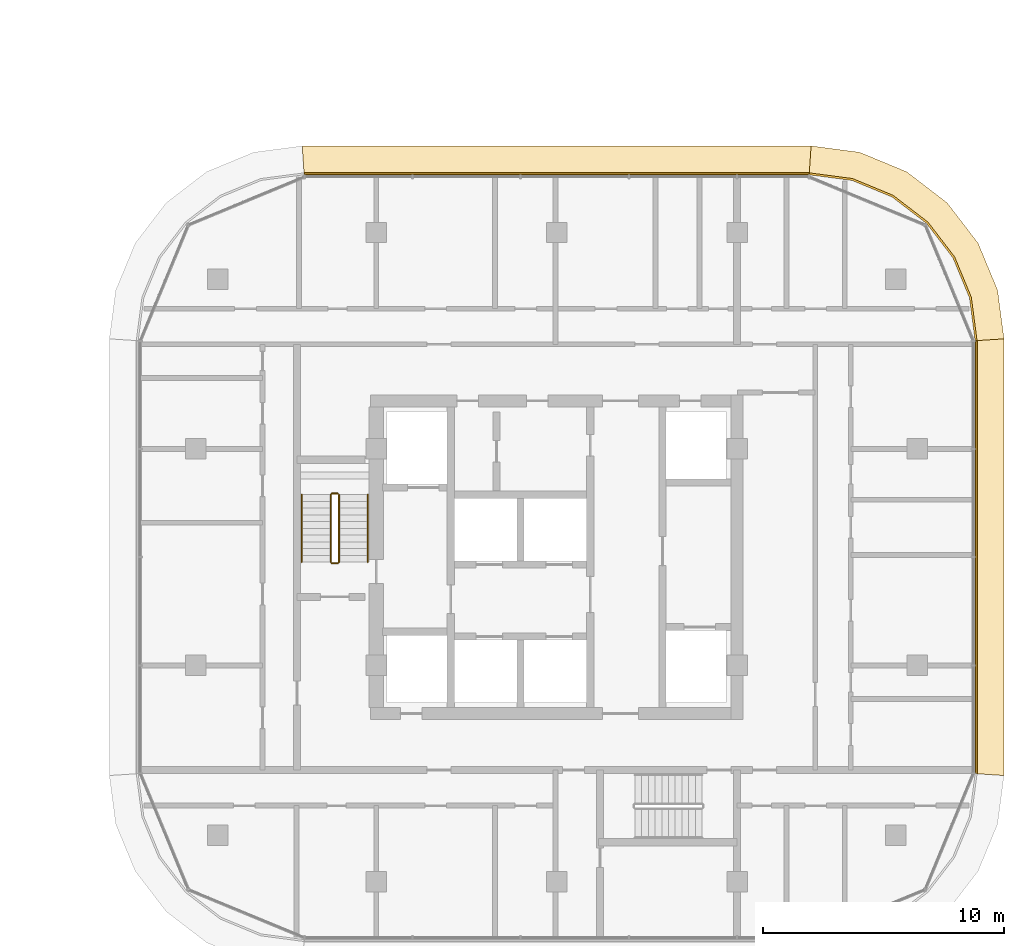
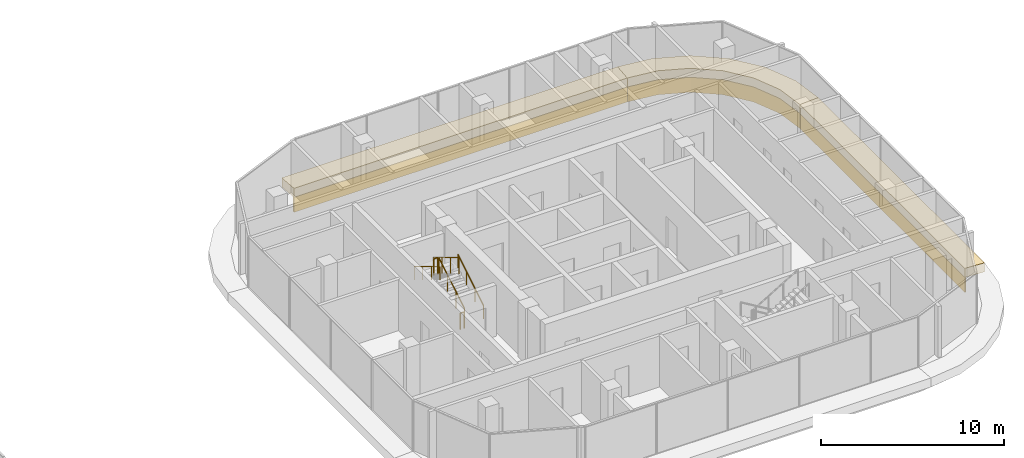
# One storey, part 36 of 36: 6 coverings, 6 railings.
"""IFC4 building model written with IfcOpenShell, lengths in metres."""

from ifc_helpers import new_model, si_unit, direction, frame, origin, origin_2d, place, context, subcontext, project, spatial, polyline, circle, outline, extrude, material, layer, layer_set, type_object, element, save


model = new_model("IFC4")

# Units and contexts
model_context = context("Model", 3, precision=1e-05, world=origin(), true_north=direction((0.0, 1.0)))
body_context = subcontext(model_context, "Body", "Model", "MODEL_VIEW")
ifc_project = project(units=[si_unit("LENGTHUNIT", "METRE"), si_unit("AREAUNIT", "SQUARE_METRE"), si_unit("VOLUMEUNIT", "CUBIC_METRE"), si_unit("PLANEANGLEUNIT", "RADIAN"), si_unit("MASSUNIT", "GRAM", prefix="KILO")], contexts=[model_context])

# Site, building, storey
site_placement = place(None, origin())
site = spatial("IfcSite", under=ifc_project, at=site_placement, CompositionType="ELEMENT")
building_placement = place(site_placement, origin())
building = spatial("IfcBuilding", under=site, at=building_placement, Name="Ogive Portal Towers", CompositionType="ELEMENT")
storey_placement = place(building_placement, frame((0.0, 0.0, 63.10009765625)))
storey = spatial("IfcBuildingStorey", under=building, at=storey_placement, Name="L14", CompositionType="ELEMENT", Elevation=63.10009765625)

# Railings
ifc_material_1 = material(Name="Stainless steel balustrade", Category="steel")
railing_type_1 = type_object("IfcRailingType", Name="INT-GUARD", PredefinedType="GUARDRAIL", material=ifc_material_1)
railing_1_placement = place(storey_placement, frame((127.449951171875, 30.800048828125, 0.16796875)))
element("IfcRailing", 1, at=railing_1_placement, inside=storey, type_object=railing_type_1, Name="L14 ST-B1 stair guard 1", PredefinedType="GUARDRAIL", context=body_context, shape_type="SweptSolid", body=[
    extrude(circle(Radius=0.02392578125, at=origin_2d()), frame((0.0, 0.0, 1.076171875), z_axis=(0.0, 0.857242210791, 0.514913383045), x_axis=(-1.0, 0.0, 0.0)), (0.0, 0.0, 1.0), 3.266357421875),
    extrude(circle(Radius=0.02099609375, at=origin_2d()), origin(), (0.0, 0.0, 1.0), 1.052001953125),
    extrude(circle(Radius=0.02099609375, at=origin_2d()), frame((0.0, 0.933349609375, 0.560546875)), (0.0, 0.0, 1.0), 1.052001953125),
    extrude(circle(Radius=0.02099609375, at=origin_2d()), frame((0.0, 1.86669921875, 1.121337890625)), (0.0, 0.0, 1.0), 1.052001953125),
    extrude(circle(Radius=0.02099609375, at=origin_2d()), frame((0.0, 2.800048828125, 1.681884765625)), (0.0, 0.0, 1.0), 1.052001953125),
])
railing_2_placement = place(storey_placement, frame((127.39990234375, 33.64990234375, 1.849853515625)))
element("IfcRailing", 2, at=railing_2_placement, inside=storey, type_object=railing_type_1, Name="L14 ST-B1 stair guard 2", PredefinedType="GUARDRAIL", context=body_context, shape_type="SweptSolid", body=[
    extrude(circle(Radius=0.02392578125, at=origin_2d()), frame((0.0, 0.0, 1.076171875), z_axis=(-1.0, 0.0, 0.0), x_axis=(0.0, -1.0, 0.0)), (0.0, 0.0, 1.0), 0.25),
    extrude(circle(Radius=0.02099609375, at=origin_2d()), origin(), (0.0, 0.0, 1.0), 1.052001953125),
    extrude(circle(Radius=0.02099609375, at=origin_2d()), frame((-0.25, 0.0, 0.0)), (0.0, 0.0, 1.0), 1.052001953125),
])
railing_3_placement = place(storey_placement, frame((127.10009765625, 33.60009765625, 2.01806640625)))
element("IfcRailing", 3, at=railing_3_placement, inside=storey, type_object=railing_type_1, Name="L14 ST-B1 stair guard 3", PredefinedType="GUARDRAIL", context=body_context, shape_type="SweptSolid", body=[
    extrude(circle(Radius=0.02392578125, at=origin_2d()), frame((0.0, 0.0, 1.076171875), z_axis=(0.0, -0.857242210791, 0.514913383045), x_axis=(1.0, 0.0, 0.0)), (0.0, 0.0, 1.0), 3.266357421875),
    extrude(circle(Radius=0.02099609375, at=origin_2d()), origin(), (0.0, 0.0, 1.0), 1.052001953125),
    extrude(circle(Radius=0.02099609375, at=origin_2d()), frame((0.0, -0.933349609375, 0.560546875)), (0.0, 0.0, 1.0), 1.052001953125),
    extrude(circle(Radius=0.02099609375, at=origin_2d()), frame((0.0, -1.86669921875, 1.121337890625)), (0.0, 0.0, 1.0), 1.052001953125),
    extrude(circle(Radius=0.02099609375, at=origin_2d()), frame((0.0, -2.800048828125, 1.681884765625)), (0.0, 0.0, 1.0), 1.052001953125),
])
railing_4_placement = place(storey_placement, frame((127.39990234375, 30.75, 0.0)))
element("IfcRailing", 4, at=railing_4_placement, inside=storey, type_object=railing_type_1, Name="L14 ST-B1 stair guard 4", PredefinedType="GUARDRAIL", context=body_context, shape_type="SweptSolid", body=[
    extrude(circle(Radius=0.02392578125, at=origin_2d()), frame((0.0, 0.0, 1.076171875), z_axis=(-1.0, 0.0, 0.0), x_axis=(0.0, -1.0, 0.0)), (0.0, 0.0, 1.0), 0.25),
    extrude(circle(Radius=0.02099609375, at=origin_2d()), origin(), (0.0, 0.0, 1.0), 1.052001953125),
    extrude(circle(Radius=0.02099609375, at=origin_2d()), frame((-0.25, 0.0, 0.0)), (0.0, 0.0, 1.0), 1.052001953125),
])
ifc_material_2 = material(Name="Stainless steel handrail", Category="steel")
railing_type_2 = type_object("IfcRailingType", Name="INT-HANDRAIL", PredefinedType="HANDRAIL", material=ifc_material_2)
railing_5_placement = place(storey_placement, frame((128.64990234375, 30.800048828125, 0.16796875)))
element("IfcRailing", 5, at=railing_5_placement, inside=storey, type_object=railing_type_2, Name="L14 ST-B1 stair handrail 1", PredefinedType="HANDRAIL", context=body_context, shape_type="SweptSolid", body=[
    extrude(circle(Radius=0.02392578125, at=origin_2d()), frame((0.0, 0.0, 0.8759765625), z_axis=(0.0, 0.857242210791, 0.514913383045), x_axis=(-1.0, 0.0, 0.0)), (0.0, 0.0, 1.0), 3.266357421875),
    extrude(circle(Radius=0.02099609375, at=origin_2d()), origin(), (0.0, 0.0, 1.0), 0.851806640625),
    extrude(circle(Radius=0.02099609375, at=origin_2d()), frame((0.0, 0.933349609375, 0.560546875)), (0.0, 0.0, 1.0), 0.851806640625),
    extrude(circle(Radius=0.02099609375, at=origin_2d()), frame((0.0, 1.86669921875, 1.121337890625)), (0.0, 0.0, 1.0), 0.851806640625),
    extrude(circle(Radius=0.02099609375, at=origin_2d()), frame((0.0, 2.800048828125, 1.681884765625)), (0.0, 0.0, 1.0), 0.851806640625),
])
railing_6_placement = place(storey_placement, frame((125.89990234375, 33.60009765625, 2.01806640625)))
element("IfcRailing", 6, at=railing_6_placement, inside=storey, type_object=railing_type_2, Name="L14 ST-B1 stair handrail 2", PredefinedType="HANDRAIL", context=body_context, shape_type="SweptSolid", body=[
    extrude(circle(Radius=0.02392578125, at=origin_2d()), frame((0.0, 0.0, 0.8759765625), z_axis=(0.0, -0.857242210791, 0.514913383045), x_axis=(1.0, 0.0, 0.0)), (0.0, 0.0, 1.0), 3.266357421875),
    extrude(circle(Radius=0.02099609375, at=origin_2d()), origin(), (0.0, 0.0, 1.0), 0.851806640625),
    extrude(circle(Radius=0.02099609375, at=origin_2d()), frame((0.0, -0.933349609375, 0.560546875)), (0.0, 0.0, 1.0), 0.851806640625),
    extrude(circle(Radius=0.02099609375, at=origin_2d()), frame((0.0, -1.86669921875, 1.121337890625)), (0.0, 0.0, 1.0), 0.851806640625),
    extrude(circle(Radius=0.02099609375, at=origin_2d()), frame((0.0, -2.800048828125, 1.681884765625)), (0.0, 0.0, 1.0), 0.851806640625),
])

# Coverings
ifc_material_3 = material(Name="Limestone cladding on lightweight block wall", Category="masonry")
ifc_layer_1 = layer(ifc_material_3, 0.080078125)
ifc_layer_set_1 = layer_set([ifc_layer_1], Name="STONE SPANDREL 80")
covering_type_1 = type_object("IfcCoveringType", Name="STONE SPANDREL 80", PredefinedType="CLADDING", material=ifc_layer_set_1)
covering_1_placement = place(storey_placement, frame((0.0, 0.0, -1.60009765625)))
element("IfcCovering", 7, at=covering_1_placement, inside=storey, type_object=covering_type_1, Name="Stone spandrel B1-F04", PredefinedType="CLADDING", context=body_context, shape_type="SweptSolid", body=[
    extrude(outline(polyline([(153.89990234375, 22.0), (153.89990234375, 40.0), (153.97998046875, 40.005126953125), (153.97998046875, 21.994873046875), (153.89990234375, 22.0)])), origin(), (0.0, 0.0, 1.0), 1.0),
])
covering_2_placement = place(storey_placement, frame((0.0, 0.0, -1.60009765625)))
element("IfcCovering", 8, at=covering_2_placement, inside=storey, type_object=covering_type_1, Name="Stone spandrel B1-F05", PredefinedType="CLADDING", context=body_context, shape_type="SweptSolid", body=[
    extrude(outline(polyline([(153.89990234375, 40.0), (153.664794921875, 41.785888671875), (152.9755859375, 43.449951171875), (151.879150390625, 44.879150390625), (150.449951171875, 45.9755859375), (148.785888671875, 46.664794921875), (147.0, 46.89990234375), (147.005126953125, 46.97998046875), (148.806640625, 46.742919921875), (150.490234375, 46.04541015625), (151.93603515625, 44.93603515625), (153.04541015625, 43.490234375), (153.742919921875, 41.806640625), (153.97998046875, 40.005126953125), (153.89990234375, 40.0)])), origin(), (0.0, 0.0, 1.0), 1.0),
])
covering_3_placement = place(storey_placement, frame((0.0, 0.0, -1.60009765625)))
element("IfcCovering", 9, at=covering_3_placement, inside=storey, type_object=covering_type_1, Name="Stone spandrel B1-F06", PredefinedType="CLADDING", context=body_context, shape_type="SweptSolid", body=[
    extrude(outline(polyline([(147.0, 46.89990234375), (126.0, 46.89990234375), (125.994873046875, 46.97998046875), (147.005126953125, 46.97998046875), (147.0, 46.89990234375)])), origin(), (0.0, 0.0, 1.0), 1.0),
])
ifc_layer_2 = layer(ifc_material_3, 0.60009765625)
ifc_layer_set_2 = layer_set([ifc_layer_2], Name="SUNSHADE LIP 600")
covering_type_2 = type_object("IfcCoveringType", Name="SUNSHADE LIP 600", PredefinedType="CLADDING", material=ifc_layer_set_2)
covering_4_placement = place(storey_placement, frame((0.0, 0.0, -0.60009765625)))
element("IfcCovering", 10, at=covering_4_placement, inside=storey, type_object=covering_type_2, Name="Sunshade lip B1-F04", PredefinedType="CLADDING", context=body_context, shape_type="SweptSolid", body=[
    extrude(outline(polyline([(153.89990234375, 22.0), (153.89990234375, 40.0), (155.10009765625, 40.07861328125), (155.10009765625, 21.92138671875), (153.89990234375, 22.0)])), origin(), (0.0, 0.0, 1.0), 0.60009765625),
])
covering_5_placement = place(storey_placement, frame((0.0, 0.0, -0.60009765625)))
element("IfcCovering", 11, at=covering_5_placement, inside=storey, type_object=covering_type_2, Name="Sunshade lip B1-F05", PredefinedType="CLADDING", context=body_context, shape_type="SweptSolid", body=[
    extrude(outline(polyline([(153.89990234375, 40.0), (153.664794921875, 41.785888671875), (152.9755859375, 43.449951171875), (151.879150390625, 44.879150390625), (150.449951171875, 45.9755859375), (148.785888671875, 46.664794921875), (147.0, 46.89990234375), (147.07861328125, 48.10009765625), (149.09912109375, 47.833984375), (151.05517578125, 47.023681640625), (152.73486328125, 45.73486328125), (154.023681640625, 44.05517578125), (154.833984375, 42.09912109375), (155.10009765625, 40.07861328125), (153.89990234375, 40.0)])), origin(), (0.0, 0.0, 1.0), 0.60009765625),
])
covering_6_placement = place(storey_placement, frame((0.0, 0.0, -0.60009765625)))
element("IfcCovering", 12, at=covering_6_placement, inside=storey, type_object=covering_type_2, Name="Sunshade lip B1-F06", PredefinedType="CLADDING", context=body_context, shape_type="SweptSolid", body=[
    extrude(outline(polyline([(147.0, 46.89990234375), (126.0, 46.89990234375), (125.92138671875, 48.10009765625), (147.07861328125, 48.10009765625), (147.0, 46.89990234375)])), origin(), (0.0, 0.0, 1.0), 0.60009765625),
])

save(model, "model.ifc")
